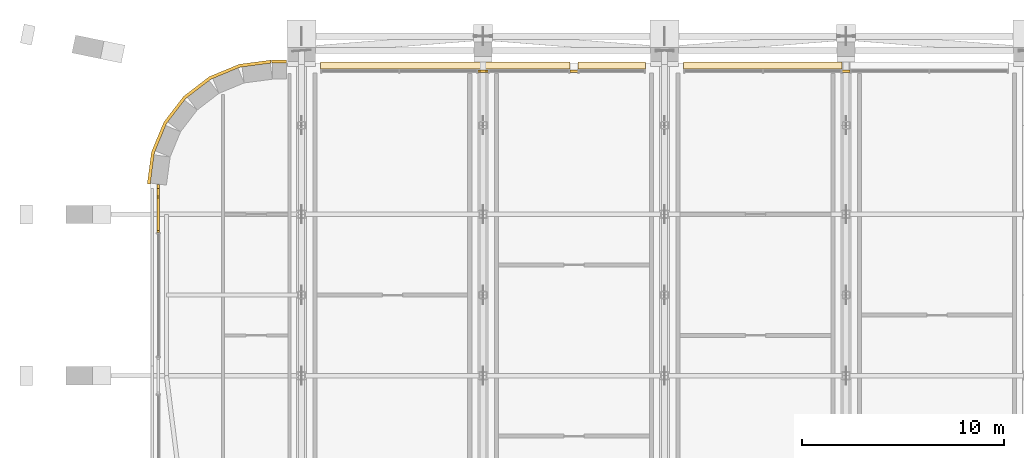
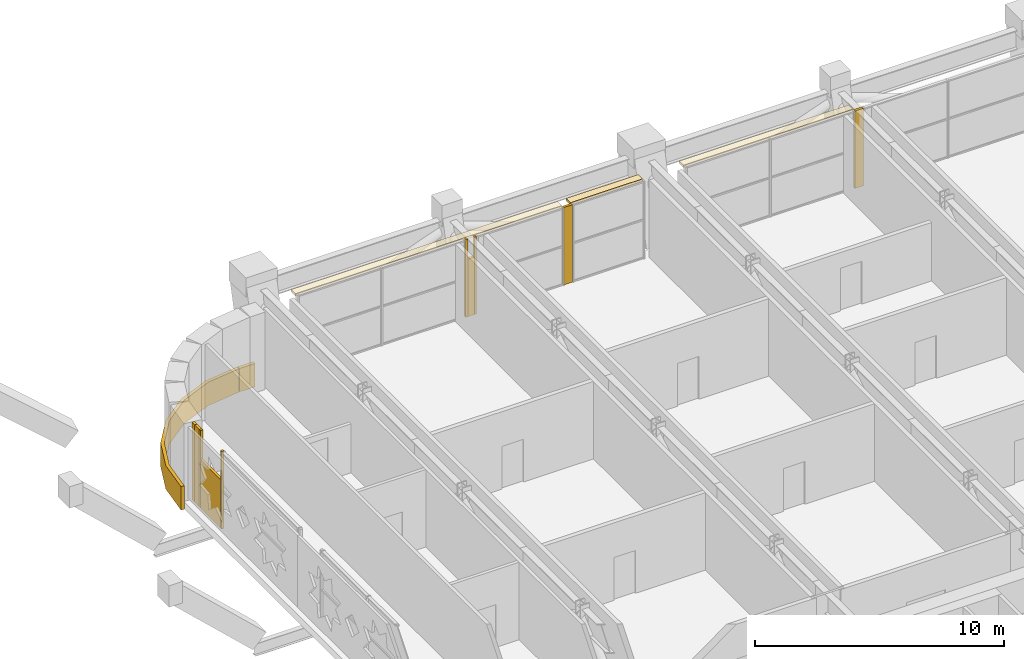
# One storey, part 24 of 26: 15 coverings.
"""IFC4 building model written with IfcOpenShell, lengths in metres."""

from ifc_helpers import new_model, si_unit, direction, frame, origin, origin_2d, place, context, subcontext, project, spatial, polyline, rectangle, outline, extrude, material, layer, layer_set, type_object, element, save


model = new_model("IFC4")

# Units and contexts
model_context = context("Model", 3, precision=1e-05, world=origin(), true_north=direction((0.0, 1.0)))
body_context = subcontext(model_context, "Body", "Model", "MODEL_VIEW")
ifc_project = project(units=[si_unit("LENGTHUNIT", "METRE"), si_unit("AREAUNIT", "SQUARE_METRE"), si_unit("VOLUMEUNIT", "CUBIC_METRE"), si_unit("PLANEANGLEUNIT", "RADIAN"), si_unit("MASSUNIT", "GRAM", prefix="KILO")], contexts=[model_context])

# Site, building, storey
site_placement = place(None, origin())
site = spatial("IfcSite", under=ifc_project, at=site_placement, CompositionType="ELEMENT")
building_placement = place(site_placement, origin())
building = spatial("IfcBuilding", under=site, at=building_placement, Name="Zellij Exchange Tower", CompositionType="ELEMENT")
storey_placement = place(building_placement, frame((0.0, 0.0, 216.5)))
storey = spatial("IfcBuildingStorey", under=building, at=storey_placement, Name="L50", CompositionType="ELEMENT", Elevation=216.5)

# Coverings
ifc_material_1 = material(Name="Limestone cladding", Category="masonry")
ifc_layer_1 = layer(ifc_material_1, 0.14990234375)
ifc_layer_set_1 = layer_set([ifc_layer_1], Name="Limestone cladding")
covering_type_1 = type_object("IfcCoveringType", Name="ENV-CV1 Stone spandrel band 150", PredefinedType="CLADDING", material=ifc_layer_set_1)
covering_1_placement = place(storey_placement, frame((0.0, 0.0, -0.35009765625)))
element("IfcCovering", 1, at=covering_1_placement, inside=storey, type_object=covering_type_1, Name="Stone spandrel band", PredefinedType="CLADDING", context=body_context, shape_type="SweptSolid", body=[
    extrude(outline(polyline([(-27.75, 29.5), (-28.473876953125, 29.5), (-28.483642578125, 29.64990234375), (-27.75, 29.64990234375), (-27.75, 29.5)])), origin(), (0.0, 0.0, 1.0), 1.150146484375),
])
covering_2_placement = place(storey_placement, frame((0.0, 0.0, -0.35009765625)))
element("IfcCovering", 2, at=covering_2_placement, inside=storey, type_object=covering_type_1, Name="Stone spandrel band", PredefinedType="CLADDING", context=body_context, shape_type="SweptSolid", body=[
    extrude(outline(polyline([(-28.5, 29.5), (-30.052978515625, 29.295654296875), (-31.5, 28.6962890625), (-32.74267578125, 27.74267578125), (-33.6962890625, 26.5), (-34.295654296875, 25.052978515625), (-34.5, 23.5), (-34.64990234375, 23.509765625), (-34.441650390625, 25.092041015625), (-33.8271484375, 26.57568359375), (-32.849609375, 27.849609375), (-31.57568359375, 28.8271484375), (-30.092041015625, 29.441650390625), (-28.509765625, 29.64990234375), (-28.5, 29.5)])), origin(), (0.0, 0.0, 1.0), 1.150146484375),
])
ifc_layer_2 = layer(ifc_material_1, 0.1201171875)
ifc_layer_set_2 = layer_set([ifc_layer_2], Name="Limestone cladding")
covering_type_2 = type_object("IfcCoveringType", Name="ENV-CV18 Glazing closer 120", PredefinedType="CLADDING", material=ifc_layer_set_2)
covering_3_placement = place(storey_placement, frame((-34.10009765625, 22.0, 0.0), z_axis=(0.0, 0.0, 1.0), x_axis=(0.0, -1.0, 0.0)))
element("IfcCovering", 3, at=covering_3_placement, inside=storey, type_object=covering_type_2, Name="Glazing closer", PredefinedType="CLADDING", context=body_context, shape_type="SweptSolid", body=[
    extrude(rectangle(XDim=1.60009765625, YDim=0.1201171875, at=origin_2d()), origin(), (0.0, 0.0, 1.0), 2.389892578125),
])
for number, where, z_axis, x_axis, name in (
    (4, (-13.5, 29.10009765625, 0.0), (0.0, 0.0, 1.0), (-1.0, 0.0, 0.0), "Glazing closer"),
    (5, (0.0, 29.10009765625, 0.0), (0.0, 0.0, 1.0), (-1.0, 0.0, 0.0), "Glazing closer"),
):
    element("IfcCovering", number, at=place(storey_placement, frame(where, z_axis=z_axis, x_axis=x_axis)), inside=storey, type_object=covering_type_2, Name=name, PredefinedType="CLADDING", context=body_context, shape_type="SweptSolid", body=[
        extrude(rectangle(XDim=0.39990234375, YDim=0.1201171875, at=origin_2d()), origin(), (0.0, 0.0, 1.0), 3.800048828125),
    ])
covering_4_placement = place(storey_placement, frame((-34.10009765625, 23.0869140625, 0.0), z_axis=(0.0, 0.0, 1.0), x_axis=(0.0, -1.0, 0.0)))
element("IfcCovering", 6, at=covering_4_placement, inside=storey, type_object=covering_type_2, Name="Glazing closer", PredefinedType="CLADDING", context=body_context, shape_type="SweptSolid", body=[
    extrude(rectangle(XDim=0.373779296875, YDim=0.1201171875, at=origin_2d()), origin(), (0.0, 0.0, 1.0), 3.800048828125),
])
covering_5_placement = place(storey_placement, frame((-18.0, 29.10009765625, 0.0), z_axis=(0.0, 0.0, 1.0), x_axis=(-1.0, 0.0, 0.0)))
element("IfcCovering", 7, at=covering_5_placement, inside=storey, type_object=covering_type_2, Name="Glazing closer", PredefinedType="CLADDING", context=body_context, shape_type="SweptSolid", body=[
    extrude(rectangle(XDim=0.2998046875, YDim=0.1201171875, at=origin_2d()), origin(), (0.0, 0.0, 1.0), 2.82470703125),
])
covering_6_placement = place(storey_placement, frame((-34.10009765625, 23.383056640625, 0.0), z_axis=(0.0, 0.0, 1.0), x_axis=(0.0, 1.0, 0.0)))
element("IfcCovering", 8, at=covering_6_placement, inside=storey, type_object=covering_type_2, Name="Glazing closer", PredefinedType="CLADDING", context=body_context, shape_type="SweptSolid", body=[
    extrude(rectangle(XDim=0.218505859375, YDim=0.1201171875, at=origin_2d()), origin(), (0.0, 0.0, 1.0), 3.800048828125),
])
for number, where, z_axis, x_axis, name in (
    (9, (-17.800048828125, 29.10009765625, 0.0), (0.0, 0.0, 1.0), (-1.0, 0.0, 0.0), "Glazing closer"),
    (10, (-18.199951171875, 29.10009765625, 0.0), (0.0, 0.0, 1.0), (-1.0, 0.0, 0.0), "Glazing closer"),
    (11, (-34.10009765625, 22.85009765625, 0.0), (0.0, 0.0, 1.0), (0.0, -1.0, 0.0), "Glazing closer"),
    (12, (-34.10009765625, 21.14990234375, 0.0), (0.0, 0.0, 1.0), (0.0, -1.0, 0.0), "Glazing closer"),
):
    element("IfcCovering", number, at=place(storey_placement, frame(where, z_axis=z_axis, x_axis=x_axis)), inside=storey, type_object=covering_type_2, Name=name, PredefinedType="CLADDING", context=body_context, shape_type="SweptSolid", body=[
        extrude(rectangle(XDim=0.10009765625, YDim=0.1201171875, at=origin_2d()), origin(), (0.0, 0.0, 1.0), 3.800048828125),
    ])
ifc_material_2 = material(Name="Limestone sunshade", Category="masonry")
ifc_layer_3 = layer(ifc_material_2, 0.1201171875)
ifc_layer_set_3 = layer_set([ifc_layer_3], Name="Limestone sunshade")
covering_type_3 = type_object("IfcCoveringType", Name="ENV-SC2 Stone sunshade 120", PredefinedType="USERDEFINED", material=ifc_layer_set_3)
covering_7_placement = place(storey_placement, frame((0.0, 0.0, 3.679931640625)))
element("IfcCovering", 13, at=covering_7_placement, inside=storey, type_object=covering_type_3, Name="Stone sunshade", ObjectType="SUNSHADE", PredefinedType="USERDEFINED", context=body_context, shape_type="SweptSolid", body=[
    extrude(outline(polyline([(-0.199951171875, 29.199951171875), (-8.050048828125, 29.199951171875), (-8.050048828125, 29.550048828125), (-0.199951171875, 29.550048828125), (-0.199951171875, 29.199951171875)])), origin(), (0.0, 0.0, 1.0), 0.1201171875),
])
covering_8_placement = place(storey_placement, frame((0.0, 0.0, 3.679931640625)))
element("IfcCovering", 14, at=covering_8_placement, inside=storey, type_object=covering_type_3, Name="Stone sunshade", ObjectType="SUNSHADE", PredefinedType="USERDEFINED", context=body_context, shape_type="SweptSolid", body=[
    extrude(outline(polyline([(-9.949951171875, 29.199951171875), (-13.300048828125, 29.199951171875), (-13.300048828125, 29.550048828125), (-9.949951171875, 29.550048828125), (-9.949951171875, 29.199951171875)])), origin(), (0.0, 0.0, 1.0), 0.1201171875),
])
covering_9_placement = place(storey_placement, frame((0.0, 0.0, 3.679931640625)))
element("IfcCovering", 15, at=covering_9_placement, inside=storey, type_object=covering_type_3, Name="Stone sunshade", ObjectType="SUNSHADE", PredefinedType="USERDEFINED", context=body_context, shape_type="SweptSolid", body=[
    extrude(outline(polyline([(-13.699951171875, 29.199951171875), (-26.050048828125, 29.199951171875), (-26.050048828125, 29.550048828125), (-13.699951171875, 29.550048828125), (-13.699951171875, 29.199951171875)])), origin(), (0.0, 0.0, 1.0), 0.1201171875),
])

save(model, "model.ifc")
